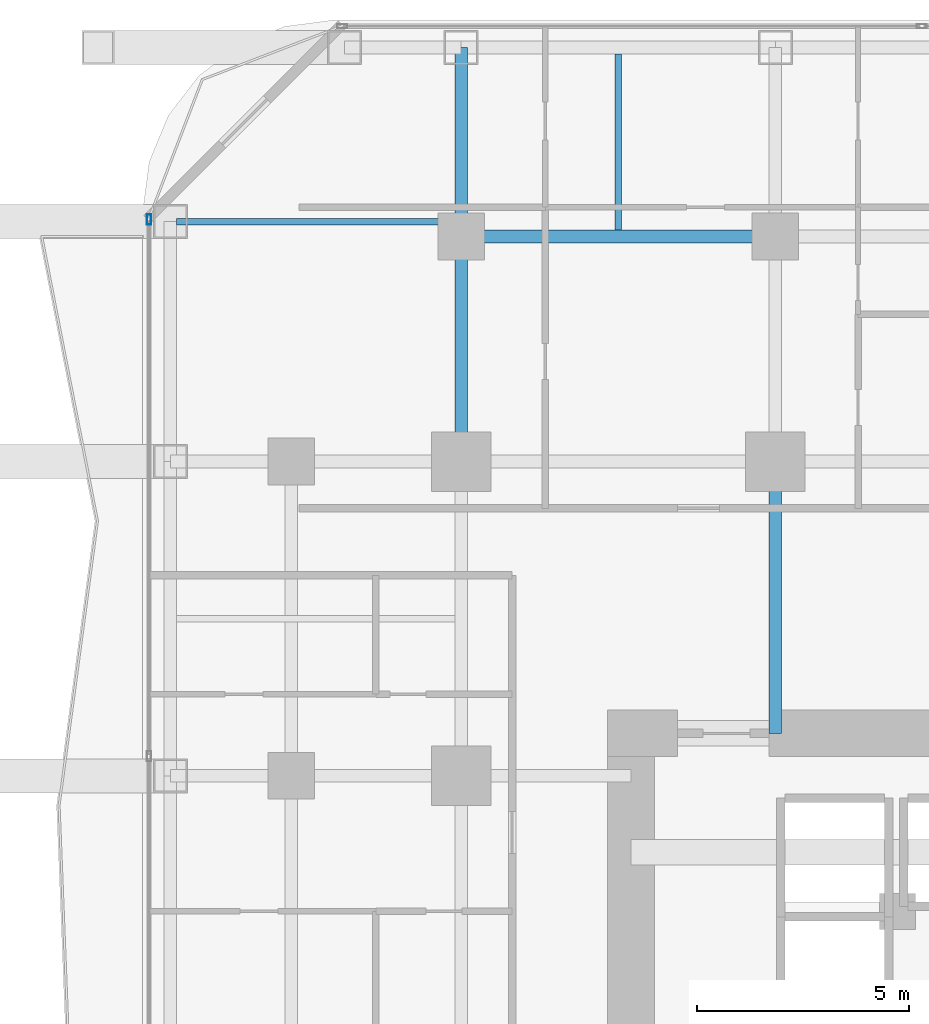
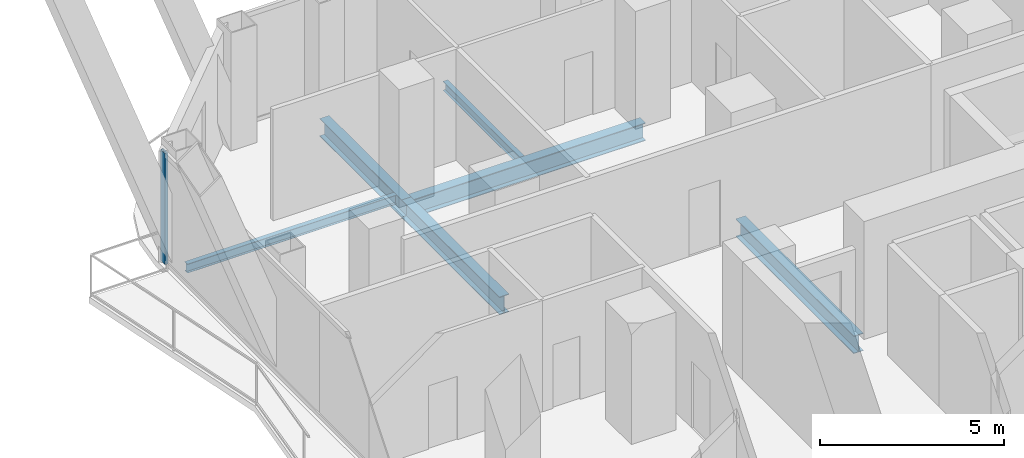
# One storey, part 17 of 33: 6 beams, 1 member, 1 element without a shape of its own.
"""IFC4 building model written with IfcOpenShell, lengths in metres."""

from ifc_helpers import new_model, si_unit, direction, frame, origin, origin_2d, place, context, subcontext, project, spatial, hollow_rectangle, i_section, extrude, material, layer, layer_set, material_profile, profile_set, type_object, element, aggregate, save


model = new_model("IFC4")

# Units and contexts
model_context = context("Model", 3, precision=1e-05, world=origin(), true_north=direction((0.0, 1.0)))
body_context = subcontext(model_context, "Body", "Model", "MODEL_VIEW")
ifc_project = project(units=[si_unit("LENGTHUNIT", "METRE"), si_unit("AREAUNIT", "SQUARE_METRE"), si_unit("VOLUMEUNIT", "CUBIC_METRE"), si_unit("PLANEANGLEUNIT", "RADIAN"), si_unit("MASSUNIT", "GRAM", prefix="KILO")], contexts=[model_context])

# Site, building, storey
site_placement = place(None, origin())
site = spatial("IfcSite", under=ifc_project, at=site_placement, CompositionType="ELEMENT")
building_placement = place(site_placement, origin())
building = spatial("IfcBuilding", under=site, at=building_placement, Name="Khorvyn Point Tower", CompositionType="ELEMENT")
storey_placement = place(building_placement, frame((0.0, 0.0, 38.39990234375)))
storey = spatial("IfcBuildingStorey", under=building, at=storey_placement, Name="L10", CompositionType="ELEMENT", Elevation=38.39990234375)

# Curtain wall, member
ifc_material_1 = material(Name="Anodised aluminium 6063-T6 and laminated Low-E glass", Category="aluminium")
ifc_layer = layer(ifc_material_1, 0.18994140625)
ifc_layer_set = layer_set([ifc_layer], Name="Stick-Built Finned Residential Curtain Wall CW-SYS-02")
curtain_wall_type = type_object("IfcCurtainWallType", Name="Stick-Built Finned Residential Curtain Wall CW-SYS-02", PredefinedType="NOTDEFINED", material=ifc_layer_set)
curtain_wall_placement = place(storey_placement, origin())
curtain_wall = element("IfcCurtainWall", 1, at=curtain_wall_placement, inside=storey, type_object=curtain_wall_type, Name="Curtain Wall", PredefinedType="NOTDEFINED")
ifc_material_2 = material(Name="Anodised aluminium 6063-T6", Category="aluminium")
ifc_material_profile_1 = material_profile(ifc_material_2, hollow_rectangle(XDim=0.10009765625, YDim=0.239990234375, WallThickness=0.0048828125, at=origin_2d()))
ifc_profile_set_1 = profile_set([ifc_material_profile_1], Name="Anodised aluminium 6063-T6 ALU-MUL-100x240")
member_type = type_object("IfcMemberType", Name="Anodised Aluminium 6063-T6 Mullion ALU-MUL-100x240", PredefinedType="MULLION", material=ifc_profile_set_1)
member_placement = place(storey_placement, frame((-22.14990234375, 20.5, 0.0), z_axis=(0.0, 0.0, 1.0), x_axis=(-1.0, 0.0, 0.0)))
member = element("IfcMember", 2, at=member_placement, type_object=member_type, Name="Transom", PredefinedType="MULLION", context=body_context, shape_type="SweptSolid", body=[
    extrude(hollow_rectangle(XDim=0.10009765625, YDim=0.239990234375, WallThickness=0.0048828125, at=origin_2d()), origin(), (0.0, 0.0, 1.0), 3.68017578125),
])
aggregate(curtain_wall, [member])

# Beams
ifc_material_3 = material(Name="Steel S355", Category="steel")
ifc_material_profile_2 = material_profile(ifc_material_3, i_section(OverallWidth=0.300048828125, OverallDepth=0.587890625, WebThickness=0.011962890625, FlangeThickness=0.02001953125, at=origin_2d()))
ifc_profile_set_2 = profile_set([ifc_material_profile_2], Name="Steel S355 H588x300x12x20")
beam_type_1 = type_object("IfcBeamType", Name="Steel S355 Beam H588x300x12x20", PredefinedType="BEAM", material=ifc_profile_set_2)
beam_1_placement = place(storey_placement, frame((-14.800048828125, 20.10009765625, -0.513916015625), z_axis=(1.0, 0.0, 0.0), x_axis=(0.0, 1.0, 0.0)))
element("IfcBeam", 3, at=beam_1_placement, inside=storey, type_object=beam_type_1, Name="Beam", PredefinedType="BEAM", context=body_context, shape_type="SweptSolid", body=[
    extrude(i_section(OverallWidth=0.300048828125, OverallDepth=0.587890625, WebThickness=0.011962890625, FlangeThickness=0.02001953125, at=origin_2d()), origin(), (0.0, 0.0, 1.0), 7.400146484375),
])
beam_2_placement = place(storey_placement, frame((-14.800048828125, 14.800048828125, -0.513916015625), z_axis=(0.0, 1.0, 0.0), x_axis=(-1.0, 0.0, 0.0)))
element("IfcBeam", 4, at=beam_2_placement, inside=storey, type_object=beam_type_1, Name="Beam", PredefinedType="BEAM", context=body_context, shape_type="SweptSolid", body=[
    extrude(i_section(OverallWidth=0.300048828125, OverallDepth=0.587890625, WebThickness=0.011962890625, FlangeThickness=0.02001953125, at=origin_2d()), origin(), (0.0, 0.0, 1.0), 5.300048828125),
])
beam_3_placement = place(storey_placement, frame((-14.800048828125, 20.10009765625, -0.513916015625), z_axis=(0.0, 1.0, 0.0), x_axis=(-1.0, 0.0, 0.0)))
element("IfcBeam", 5, at=beam_3_placement, inside=storey, type_object=beam_type_1, Name="Beam", PredefinedType="BEAM", context=body_context, shape_type="SweptSolid", body=[
    extrude(i_section(OverallWidth=0.300048828125, OverallDepth=0.587890625, WebThickness=0.011962890625, FlangeThickness=0.02001953125, at=origin_2d()), origin(), (0.0, 0.0, 1.0), 4.449951171875),
])
beam_4_placement = place(storey_placement, frame((-7.39990234375, 8.39990234375, -0.513916015625), z_axis=(0.0, 1.0, 0.0), x_axis=(-1.0, 0.0, 0.0)))
element("IfcBeam", 6, at=beam_4_placement, inside=storey, type_object=beam_type_1, Name="Beam", PredefinedType="BEAM", context=body_context, shape_type="SweptSolid", body=[
    extrude(i_section(OverallWidth=0.300048828125, OverallDepth=0.587890625, WebThickness=0.011962890625, FlangeThickness=0.02001953125, at=origin_2d()), origin(), (0.0, 0.0, 1.0), 6.400146484375),
])
ifc_material_profile_3 = material_profile(ifc_material_3, i_section(OverallWidth=0.14990234375, OverallDepth=0.300048828125, WebThickness=0.006591796875, FlangeThickness=0.009033203125, at=origin_2d()))
ifc_profile_set_3 = profile_set([ifc_material_profile_3], Name="Steel S355 H300x150x6.5x9")
beam_type_2 = type_object("IfcBeamType", Name="Steel S355 Joist H300x150x6.5x9", PredefinedType="JOIST", material=ifc_profile_set_3)
beam_5_placement = place(storey_placement, frame((-11.10009765625, 20.25, -0.369873046875), z_axis=(0.0, 1.0, 0.0), x_axis=(-1.0, 0.0, 0.0)))
element("IfcBeam", 7, at=beam_5_placement, inside=storey, type_object=beam_type_2, Name="Beam", PredefinedType="JOIST", context=body_context, shape_type="SweptSolid", body=[
    extrude(i_section(OverallWidth=0.14990234375, OverallDepth=0.300048828125, WebThickness=0.006591796875, FlangeThickness=0.009033203125, at=origin_2d()), origin(), (0.0, 0.0, 1.0), 4.14990234375),
])
beam_6_placement = place(storey_placement, frame((-21.5, 20.449951171875, -0.369873046875), z_axis=(1.0, 0.0, 0.0), x_axis=(0.0, 1.0, 0.0)))
element("IfcBeam", 8, at=beam_6_placement, inside=storey, type_object=beam_type_2, Name="Beam", PredefinedType="JOIST", context=body_context, shape_type="SweptSolid", body=[
    extrude(i_section(OverallWidth=0.14990234375, OverallDepth=0.300048828125, WebThickness=0.006591796875, FlangeThickness=0.009033203125, at=origin_2d()), origin(), (0.0, 0.0, 1.0), 6.550048828125),
])

save(model, "model.ifc")
